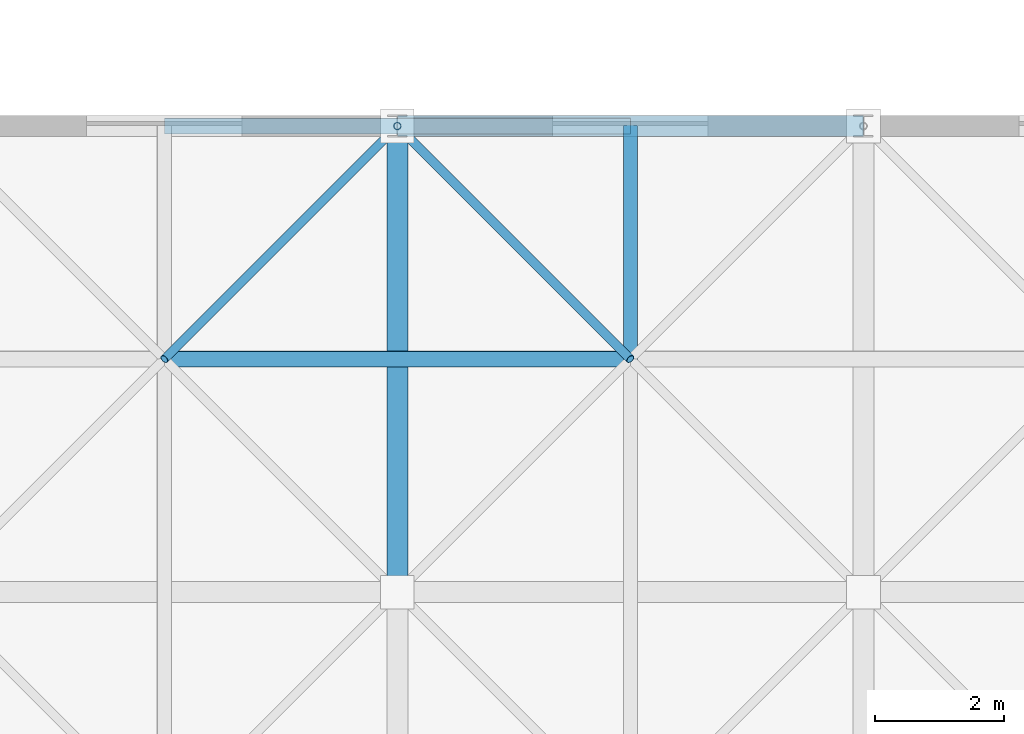
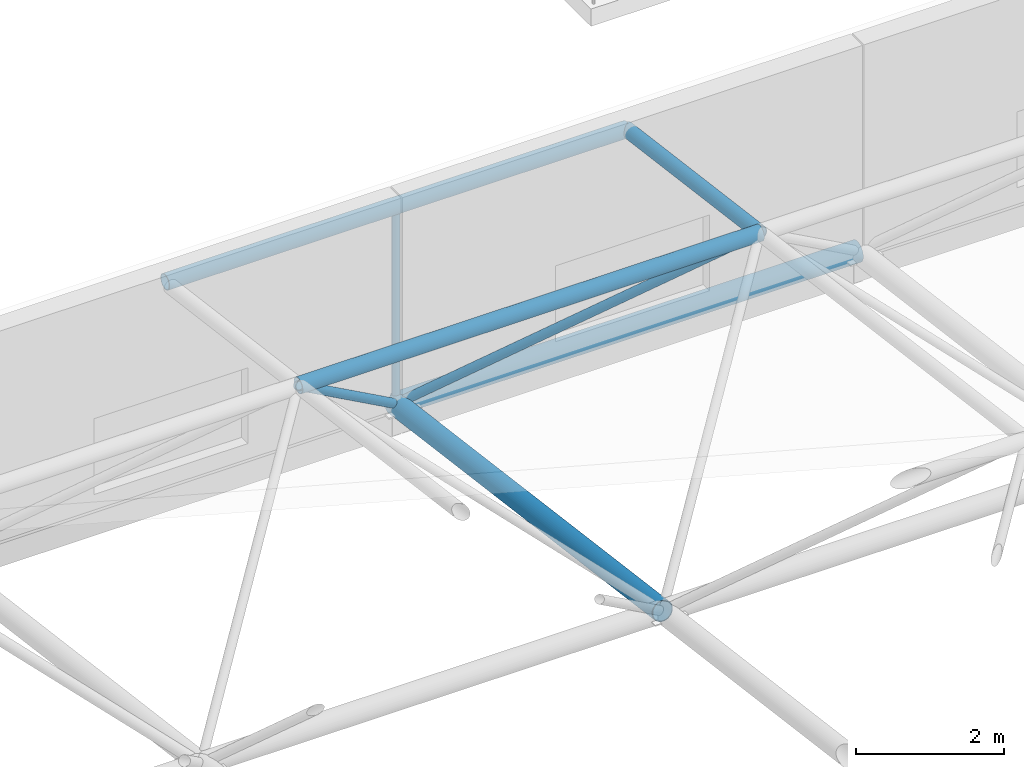
# One storey, part 40 of 103: 8 members.
"""IFC4 building model written with IfcOpenShell, lengths in metres."""

from ifc_helpers import new_model, si_unit, direction, frame, origin, origin_2d, place, context, subcontext, project, spatial, hollow_circle, extrude, material, material_profile, profile_set, type_object, element, save


model = new_model("IFC4")

# Units and contexts
model_context = context("Model", 3, precision=1e-05, world=origin(), true_north=direction((0.0, 1.0)))
body_context = subcontext(model_context, "Body", "Model", "MODEL_VIEW")
ifc_project = project(units=[si_unit("LENGTHUNIT", "METRE"), si_unit("AREAUNIT", "SQUARE_METRE"), si_unit("VOLUMEUNIT", "CUBIC_METRE"), si_unit("PLANEANGLEUNIT", "RADIAN"), si_unit("MASSUNIT", "GRAM", prefix="KILO")], contexts=[model_context])

# Site, building, storey
site_placement = place(None, origin())
site = spatial("IfcSite", under=ifc_project, at=site_placement, CompositionType="ELEMENT")
building_placement = place(site_placement, origin())
building = spatial("IfcBuilding", under=site, at=building_placement, Name="Thalmaran Polytechnic", CompositionType="ELEMENT")
storey_placement = place(building_placement, frame((0.0, 0.0, 14.39990234375)))
storey = spatial("IfcBuildingStorey", under=building, at=storey_placement, Name="L03", CompositionType="ELEMENT", Elevation=14.39990234375)

# Members
ifc_material = material(Name="Steel S355", Category="steel")
ifc_material_profile_1 = material_profile(ifc_material, hollow_circle(Radius=0.161865234375, WallThickness=0.012451171875, at=origin_2d()), Name="CHS 323.9x12.5")
ifc_profile_set_1 = profile_set([ifc_material_profile_1], Name="Steel S355")
member_type_1 = type_object("IfcMemberType", Name="MB-SFC0", PredefinedType="CHORD", material=ifc_profile_set_1)
member_1_placement = place(storey_placement, frame((122.39990234375, 50.39990234375, 0.380126953125), z_axis=(1.0, 0.0, 0.0), x_axis=(0.0, 1.0, 0.0)))
element("IfcMember", 1, at=member_1_placement, inside=storey, type_object=member_type_1, Name="Space-Frame Bottom Chord X (2,8)", PredefinedType="CHORD", context=body_context, shape_type="SweptSolid", body=[
    extrude(hollow_circle(Radius=0.161865234375, WallThickness=0.012451171875, at=origin_2d()), origin(), (0.0, 0.0, 1.0), 7.2001953125),
])
ifc_material_profile_2 = material_profile(ifc_material, hollow_circle(Radius=0.122314453125, WallThickness=0.010009765625, at=origin_2d()), Name="CHS 244.5x10.0")
ifc_profile_set_2 = profile_set([ifc_material_profile_2], Name="Steel S355")
member_type_2 = type_object("IfcMemberType", Name="MB-SFC1", PredefinedType="CHORD", material=ifc_profile_set_2)
for number, where, z_axis, x_axis, name in (
    (2, (118.800048828125, 46.800048828125, 4.1240234375), (1.0, 0.0, 0.0), (0.0, 1.0, 0.0), "Space-Frame Top Chord X (2,8)"),
    (3, (118.800048828125, 50.39990234375, 3.650146484375), (1.0, 0.0, 0.0), (0.0, 1.0, 0.0), "Space-Frame Top Chord X (2,9)"),
):
    element("IfcMember", number, at=place(storey_placement, frame(where, z_axis=z_axis, x_axis=x_axis)), inside=storey, type_object=member_type_2, Name=name, PredefinedType="CHORD", context=body_context, shape_type="SweptSolid", body=[
        extrude(hollow_circle(Radius=0.122314453125, WallThickness=0.010009765625, at=origin_2d()), origin(), (0.0, 0.0, 1.0), 7.199951171875),
    ])
ifc_material_profile_3 = material_profile(ifc_material, hollow_circle(Radius=0.109619140625, WallThickness=0.010009765625, at=origin_2d()), Name="CHS 219.1x10.0")
ifc_profile_set_3 = profile_set([ifc_material_profile_3], Name="Steel S355")
member_type_3 = type_object("IfcMemberType", Name="MB-SFC2", PredefinedType="CHORD", material=ifc_profile_set_3)
member_2_placement = place(storey_placement, frame((126.0, 46.800048828125, 4.1240234375), z_axis=(0.0, 0.99144674145, -0.130511910828), x_axis=(-1.0, 0.0, 0.0)))
element("IfcMember", 4, at=member_2_placement, inside=storey, type_object=member_type_3, Name="Space-Frame Top Chord Y (3,8)", PredefinedType="CHORD", context=body_context, shape_type="SweptSolid", body=[
    extrude(hollow_circle(Radius=0.109619140625, WallThickness=0.010009765625, at=origin_2d()), origin(), (0.0, 0.0, 1.0), 3.630859375),
])
ifc_material_profile_4 = material_profile(ifc_material, hollow_circle(Radius=0.161865234375, WallThickness=0.012451171875, at=origin_2d()), Name="CHS 323.9x12.5")
ifc_profile_set_4 = profile_set([ifc_material_profile_4], Name="Steel S355")
member_type_4 = type_object("IfcMemberType", Name="MB-SFC4", PredefinedType="CHORD", material=ifc_profile_set_4)
member_3_placement = place(storey_placement, frame((122.39990234375, 43.199951171875, 1.327880859375), z_axis=(0.0, 0.991447314079, -0.130507560722), x_axis=(-1.0, 0.0, 0.0)))
element("IfcMember", 5, at=member_3_placement, inside=storey, type_object=member_type_4, Name="Space-Frame Bottom Chord Y (2,7)", PredefinedType="CHORD", context=body_context, shape_type="SweptSolid", body=[
    extrude(hollow_circle(Radius=0.161865234375, WallThickness=0.012451171875, at=origin_2d()), origin(), (0.0, 0.0, 1.0), 7.261962890625),
])
ifc_material_profile_5 = material_profile(ifc_material, hollow_circle(Radius=0.06982421875, WallThickness=0.008056640625, at=origin_2d()), Name="CHS 139.7x8.0")
ifc_profile_set_5 = profile_set([ifc_material_profile_5], Name="Steel S355")
member_type_5 = type_object("IfcMemberType", Name="MB-SFD2", PredefinedType="BRACE", material=ifc_profile_set_5)
member_4_placement = place(storey_placement, frame((122.39990234375, 50.39990234375, 0.380126953125), z_axis=(-0.569652331509, -0.569652331509, 0.592446151488), x_axis=(0.707106781187, -0.707106781187, 0.0)))
element("IfcMember", 6, at=member_4_placement, inside=storey, type_object=member_type_5, Name="Space-Frame Web Diagonal (1,7)-4", PredefinedType="BRACE", context=body_context, shape_type="SweptSolid", body=[
    extrude(hollow_circle(Radius=0.06982421875, WallThickness=0.008056640625, at=origin_2d()), origin(), (0.0, 0.0, 1.0), 6.3193359375),
])
member_5_placement = place(storey_placement, frame((122.39990234375, 50.39990234375, 0.380126953125), z_axis=(0.569678427494, -0.569639794751, 0.592433113089), x_axis=(0.707082803744, 0.707130757816, 0.0)))
element("IfcMember", 7, at=member_5_placement, inside=storey, type_object=member_type_5, Name="Space-Frame Web Diagonal (2,7)-3", PredefinedType="BRACE", context=body_context, shape_type="SweptSolid", body=[
    extrude(hollow_circle(Radius=0.06982421875, WallThickness=0.008056640625, at=origin_2d()), origin(), (0.0, 0.0, 1.0), 6.319580078125),
])
ifc_material_profile_6 = material_profile(ifc_material, hollow_circle(Radius=0.05712890625, WallThickness=0.00634765625, at=origin_2d()), Name="CHS 114.3x6.3")
ifc_profile_set_6 = profile_set([ifc_material_profile_6], Name="Steel S355")
member_type_6 = type_object("IfcMemberType", Name="MB-SFD3", PredefinedType="BRACE", material=ifc_profile_set_6)
member_6_placement = place(storey_placement, frame((122.39990234375, 50.39990234375, 0.380126953125), z_axis=(0.0, 0.0, 1.0), x_axis=(1.0, 0.0, 0.0)))
element("IfcMember", 8, at=member_6_placement, inside=storey, type_object=member_type_6, Name="Space-Frame Eave Post (2,8)", PredefinedType="BRACE", context=body_context, shape_type="SweptSolid", body=[
    extrude(hollow_circle(Radius=0.05712890625, WallThickness=0.00634765625, at=origin_2d()), origin(), (0.0, 0.0, 1.0), 3.27001953125),
])

save(model, "model.ifc")
